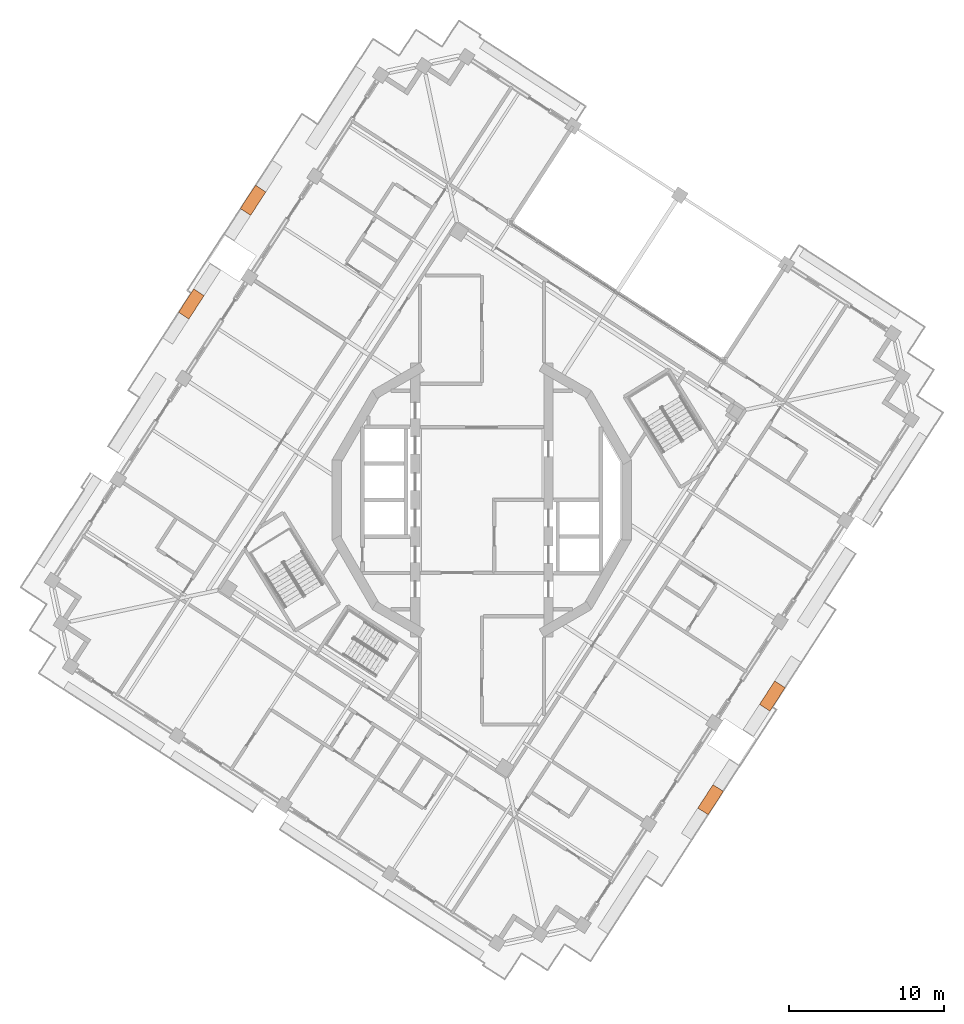
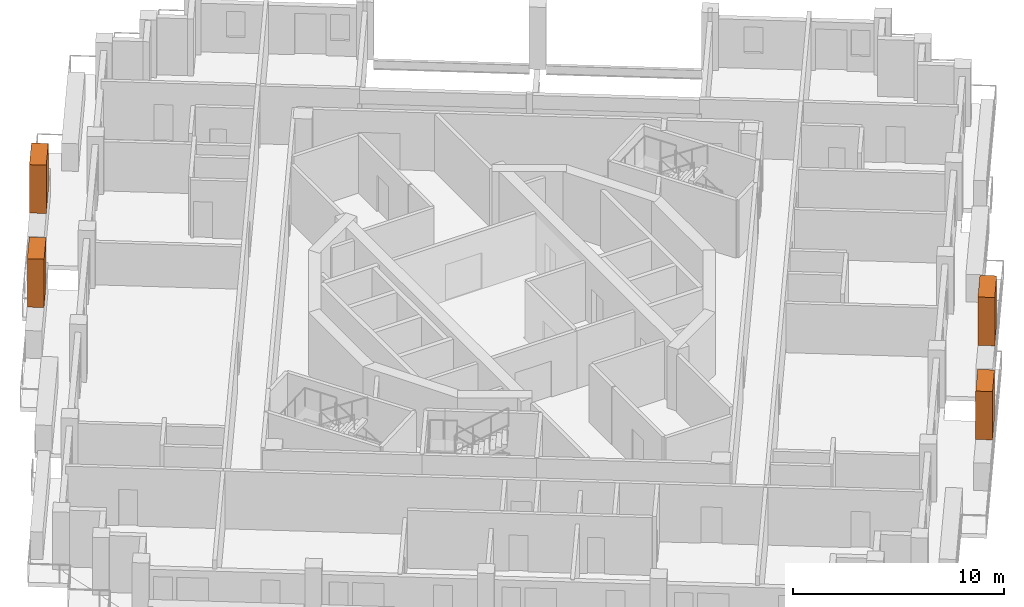
# One storey, part 17 of 17: 4 proxies.
"""IFC4 building model written with IfcOpenShell, lengths in metres."""

from ifc_helpers import new_model, si_unit, direction, frame, origin, origin_2d, place, context, subcontext, project, spatial, rectangle, extrude, element, save


model = new_model("IFC4")

# Units and contexts
model_context = context("Model", 3, precision=1e-05, world=origin(), true_north=direction((0.0, 1.0)))
body_context = subcontext(model_context, "Body", "Model", "MODEL_VIEW")
ifc_project = project(units=[si_unit("LENGTHUNIT", "METRE"), si_unit("AREAUNIT", "SQUARE_METRE"), si_unit("VOLUMEUNIT", "CUBIC_METRE"), si_unit("PLANEANGLEUNIT", "RADIAN"), si_unit("MASSUNIT", "GRAM", prefix="KILO")], contexts=[model_context])

# Site, building, storey
site_placement = place(None, origin())
site = spatial("IfcSite", under=ifc_project, at=site_placement, CompositionType="ELEMENT")
building_placement = place(site_placement, origin())
building = spatial("IfcBuilding", under=site, at=building_placement, Name="Cantera Rosa Tower", CompositionType="ELEMENT")
storey_placement = place(building_placement, frame((0.0, 0.0, 275.699951171875)))
storey = spatial("IfcBuildingStorey", under=building, at=storey_placement, Name="L62", CompositionType="ELEMENT", Elevation=275.699951171875)

# Proxies
for number, where, z_axis, x_axis, name in (
    (1, (-14.763916015625, 19.34130859375, 1.60009765625), (0.0, 0.0, 1.0), (-0.544639035015, -0.838670567945, 0.0), "TREE L62-06"),
    (2, (-18.747314453125, 12.651611328125, 1.60009765625), (0.0, 0.0, 1.0), (-0.544639035015, -0.838670567945, 0.0), "TREE L62-07"),
    (3, (14.763916015625, -19.34130859375, 1.60009765625), (0.0, 0.0, 1.0), (0.544639035015, 0.838670567945, 0.0), "TREE L62-15"),
    (4, (18.747314453125, -12.651611328125, 1.60009765625), (0.0, 0.0, 1.0), (0.544639035015, 0.838670567945, 0.0), "TREE L62-16"),
):
    element("IfcBuildingElementProxy", number, at=place(storey_placement, frame(where, z_axis=z_axis, x_axis=x_axis)), inside=storey, Name=name, ObjectType="TREE", PredefinedType="USERDEFINED", context=body_context, shape_type="SweptSolid", body=[
        extrude(rectangle(XDim=1.800048828125, YDim=0.800048828125, at=origin_2d()), origin(), (0.0, 0.0, 1.0), 2.800048828125),
    ])

save(model, "model.ifc")
